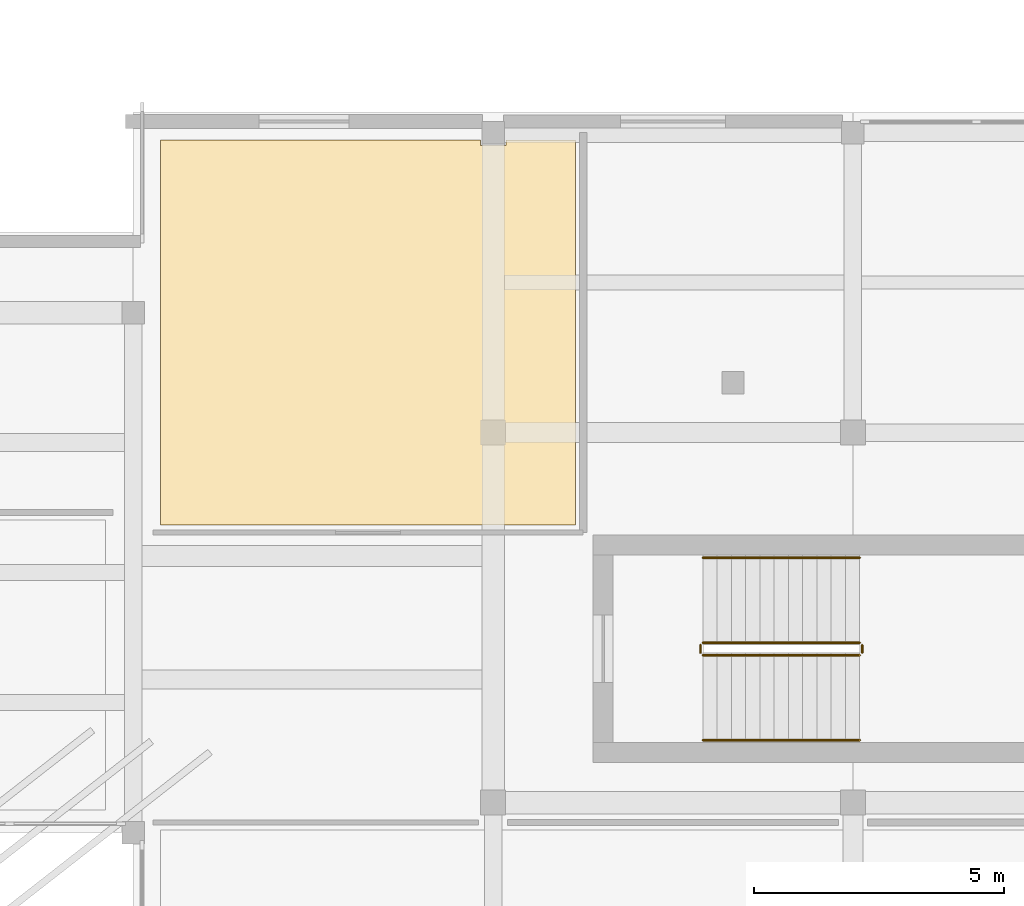
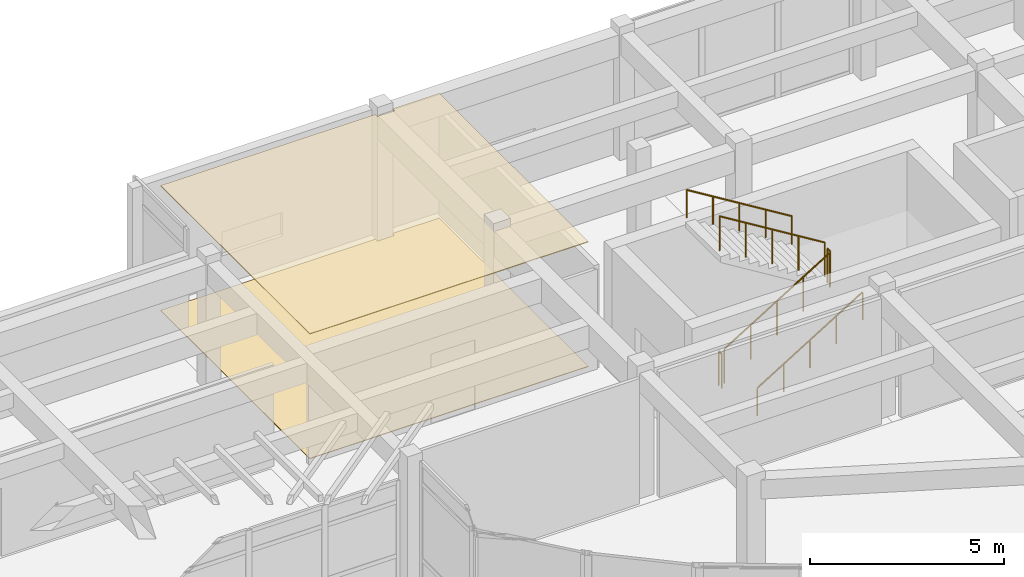
# One storey, part 54 of 60: 6 railings, 2 coverings.
"""IFC4 building model written with IfcOpenShell, lengths in metres."""

import ifcopenshell
import ifcopenshell.guid

model = None  # the IFC model being written
_history = None  # IfcOwnerHistory: only IFC2X3 demands one
_inside = {}  # id of a spatial element -> (the spatial element, [elements in it])
_under = {}  # id of a project, library or spatial element -> (it, [spatial elements below it])
_declared = {}  # id of a project -> (the project, [libraries it declares])
_typed = {}  # id of a type object -> (the type object, [elements of that type])
_made_of = {}  # id of a material, layer set ... -> (it, [elements and type objects made of it])


def new_model(schema):
    """Start an empty IFC model of exactly this schema.

    Asked for "IFC4X3", IfcOpenShell would pick the latest addendum, in which some entities
    have other attributes; the version numbers below select the first issue.
    IFC2X3 requires an IfcOwnerHistory on every rooted entity: one is made here for all.
    """
    global model, _history
    if schema == "IFC4X3":
        model = ifcopenshell.file(schema_version=(4, 3, 0, 0))
    else:
        model = ifcopenshell.file(schema=schema)
    _inside.clear()
    _under.clear()
    _declared.clear()
    _typed.clear()
    _made_of.clear()
    _history = None
    if model.schema == "IFC2X3":
        org = make("IfcOrganization", Name="unknown")
        user = make(
            "IfcPersonAndOrganization",
            ThePerson=make("IfcPerson", FamilyName="unknown"),
            TheOrganization=org,
        )
        app = make(
            "IfcApplication",
            ApplicationDeveloper=org,
            Version="unknown",
            ApplicationFullName="unknown",
            ApplicationIdentifier="unknown",
        )
        _history = make(
            "IfcOwnerHistory",
            OwningUser=user,
            OwningApplication=app,
            ChangeAction="ADDED",
            CreationDate=0,
        )
    return model


def make(cls, **values):
    """One entity of the class cls with the attributes given. An attribute that is None is left unset."""
    return model.create_entity(
        cls, **{name: value for name, value in values.items() if value is not None}
    )


def rooted(cls, **values):
    """An entity with a GlobalId (a new one), such as an element, a storey or a relation."""
    return make(cls, GlobalId=ifcopenshell.guid.new(), OwnerHistory=_history, **values)


def si_unit(unit_type, name, prefix=None):
    """IfcSIUnit, for example si_unit("LENGTHUNIT", "METRE", prefix="MILLI")."""
    return make("IfcSIUnit", UnitType=unit_type, Prefix=prefix, Name=name)


def assignment(units):
    """IfcUnitAssignment: the units of a project."""
    return None if units is None else make("IfcUnitAssignment", Units=units)


def point(xyz):
    """IfcCartesianPoint."""
    return None if xyz is None else make("IfcCartesianPoint", Coordinates=xyz)


def direction(xyz):
    """IfcDirection."""
    return None if xyz is None else make("IfcDirection", DirectionRatios=xyz)


def frame(location, z_axis=None, x_axis=None):
    """IfcAxis2Placement3D, a coordinate frame: its origin and axes. An axis left out is left unset."""
    return make(
        "IfcAxis2Placement3D",
        Location=point(location),
        Axis=direction(z_axis),
        RefDirection=direction(x_axis),
    )


def frame_2d(location, x_axis=None):
    """IfcAxis2Placement2D, a coordinate frame in the plane: its origin and x axis."""
    return make(
        "IfcAxis2Placement2D", Location=point(location), RefDirection=direction(x_axis)
    )


def origin():
    """The frame at (0, 0, 0) with its axes left unset."""
    return frame((0.0, 0.0, 0.0))


def origin_2d():
    """The frame at (0, 0) in the plane with its x axis left unset."""
    return frame_2d((0.0, 0.0))


def place(relative_to, where):
    """IfcLocalPlacement: puts the frame where relative to a parent placement (None: the world)."""
    return make(
        "IfcLocalPlacement", PlacementRelTo=relative_to, RelativePlacement=where
    )


def context(
    kind, dimensions, precision=None, world=None, true_north=None, identifier=None
):
    """IfcGeometricRepresentationContext, for example the 3D "Model" context."""
    return make(
        "IfcGeometricRepresentationContext",
        ContextIdentifier=identifier,
        ContextType=kind,
        CoordinateSpaceDimension=dimensions,
        Precision=precision,
        WorldCoordinateSystem=world,
        TrueNorth=true_north,
    )


def subcontext(parent, identifier, kind, view, scale=None):
    """IfcGeometricRepresentationSubContext, for example "Body" below "Model"."""
    return make(
        "IfcGeometricRepresentationSubContext",
        ContextIdentifier=identifier,
        ContextType=kind,
        ParentContext=parent,
        TargetScale=scale,
        TargetView=view,
    )


def project(units=None, contexts=None):
    """IfcProject with its units and contexts."""
    return rooted(
        "IfcProject",
        Name="project",
        RepresentationContexts=contexts,
        UnitsInContext=assignment(units),
    )


def spatial(cls, under=None, at=None, **own):
    """A site, building, storey or space (cls), placed at a placement, below another one or the project."""
    s = rooted(cls, ObjectPlacement=at, **own)
    if under is not None:
        _under.setdefault(under.id(), (under, []))[1].append(s)
    return s


def polyline(points):
    """IfcPolyline through the points."""
    return make("IfcPolyline", Points=[point(p) for p in points])


def profile(cls, at=None, kind="AREA", **sizes):
    """A parametric profile (cls). Its sizes go by their IFC names, for example OverallWidth=200.0."""
    return make(cls, ProfileType=kind, Position=at, **sizes)


def circle(**sizes):
    """IfcCircleProfileDef."""
    return profile("IfcCircleProfileDef", **sizes)


def outline(outer, holes=None, kind="AREA"):
    """IfcArbitraryClosedProfileDef: a profile drawn as a closed curve; with holes, ...WithVoids."""
    if holes is None:
        return make("IfcArbitraryClosedProfileDef", ProfileType=kind, OuterCurve=outer)
    return make(
        "IfcArbitraryProfileDefWithVoids",
        ProfileType=kind,
        OuterCurve=outer,
        InnerCurves=holes,
    )


def extrude(swept, where, along, depth):
    """IfcExtrudedAreaSolid: the profile swept, set in the frame where, extruded along a direction by depth."""
    return make(
        "IfcExtrudedAreaSolid",
        SweptArea=swept,
        Position=where,
        ExtrudedDirection=direction(along),
        Depth=depth,
    )


def shape(context_of_items, identifier, shape_type, items):
    """IfcShapeRepresentation: the items that make up one representation, for example the "Body"."""
    return make(
        "IfcShapeRepresentation",
        ContextOfItems=context_of_items,
        RepresentationIdentifier=identifier,
        RepresentationType=shape_type,
        Items=items,
    )


def material(Name=None, Category=None):
    """IfcMaterial."""
    return make("IfcMaterial", Name=Name, Category=Category)


def layer(
    of_material, thickness, ventilated=None, Name=None, Category=None, Priority=None
):
    """IfcMaterialLayer: one layer of a wall or slab, of a material (None: an air gap)."""
    return make(
        "IfcMaterialLayer",
        Material=of_material,
        LayerThickness=thickness,
        IsVentilated=ventilated,
        Name=Name,
        Category=Category,
        Priority=Priority,
    )


def layer_set(layers, Name=None):
    """IfcMaterialLayerSet."""
    return make("IfcMaterialLayerSet", MaterialLayers=layers, LayerSetName=Name)


def made_of(thing, what):
    """Note that an element or type object is made of a material, layer set ...; save() writes the relation."""
    if what is not None:
        _made_of.setdefault(what.id(), (what, []))[1].append(thing)
    return thing


def type_object(cls, material=None, **own):
    """A type object (cls), such as IfcWallType, which elements share."""
    return made_of(rooted(cls, **own), material)


def element(
    cls,
    number,
    at=None,
    inside=None,
    cuts=None,
    type_object=None,
    material=None,
    context=None,
    identifier="Body",
    shape_type=None,
    held_by="IfcProductDefinitionShape",
    body=None,
    shapes=None,
    **own,
):
    """One element of the class cls, such as IfcWall. Its Tag is "e" and its number.

    at: its placement. inside: the storey or other place that contains it. cuts: it is an
    opening in that element (IfcRelVoidsElement). A single representation is given by context,
    identifier, shape_type and body (its items); several are given by shapes. held_by: the class
    of the entity that holds the representations. save() writes the other relations.
    """
    e = rooted(cls, Tag="e%d" % number, ObjectPlacement=at, **own)
    if body is not None:
        shapes = [shape(context, identifier, shape_type, body)]
    if shapes is not None:
        e.Representation = make(held_by, Representations=shapes)
    if inside is not None:
        _inside.setdefault(inside.id(), (inside, []))[1].append(e)
    if cuts is not None:
        rooted(
            "IfcRelVoidsElement", RelatingBuildingElement=cuts, RelatedOpeningElement=e
        )
    if type_object is not None:
        _typed.setdefault(type_object.id(), (type_object, []))[1].append(e)
    return made_of(e, material)


def aggregate(whole, parts):
    """IfcRelAggregates: a whole, such as a stair, and the parts it consists of."""
    return rooted("IfcRelAggregates", RelatingObject=whole, RelatedObjects=parts)


def save(model, path):
    """Write the relations noted so far, then the file.

    IfcRelAggregates (storeys below a building ...), IfcRelContainedInSpatialStructure (elements
    in a storey), IfcRelDefinesByType, IfcRelAssociatesMaterial and IfcRelDeclares: one each for
    every whole, place, type object, material and project.
    """
    for whole, parts in _under.values():
        aggregate(whole, parts)
    for where, things in _inside.values():
        rooted(
            "IfcRelContainedInSpatialStructure",
            RelatedElements=things,
            RelatingStructure=where,
        )
    for kind, things in _typed.values():
        rooted("IfcRelDefinesByType", RelatedObjects=things, RelatingType=kind)
    for what, things in _made_of.values():
        rooted("IfcRelAssociatesMaterial", RelatedObjects=things, RelatingMaterial=what)
    for by, libraries in _declared.values():
        rooted("IfcRelDeclares", RelatingContext=by, RelatedDefinitions=libraries)
    model.write(path)


model = new_model("IFC4")

# Units and contexts
model_context = context("Model", 3, precision=1e-05, world=origin(), true_north=direction((0.0, 1.0)))
body_context = subcontext(model_context, "Body", "Model", "MODEL_VIEW")
ifc_project = project(units=[si_unit("LENGTHUNIT", "METRE"), si_unit("AREAUNIT", "SQUARE_METRE"), si_unit("VOLUMEUNIT", "CUBIC_METRE"), si_unit("PLANEANGLEUNIT", "RADIAN"), si_unit("MASSUNIT", "GRAM", prefix="KILO")], contexts=[model_context])

# Site, building, storey
site_placement = place(None, origin())
site = spatial("IfcSite", under=ifc_project, at=site_placement, CompositionType="ELEMENT")
building_placement = place(site_placement, origin())
building = spatial("IfcBuilding", under=site, at=building_placement, Name="Brisavento Harbour Community Centre", CompositionType="ELEMENT")
storey_placement = place(building_placement, frame((0.0, 0.0, 4.5)))
storey = spatial("IfcBuildingStorey", under=building, at=storey_placement, Name="L01", CompositionType="ELEMENT", Elevation=4.5)

# Coverings
ifc_material_1 = material(Name="Perforated acoustic gypsum ceiling board", Category="other")
ifc_layer_1 = layer(ifc_material_1, 0.02490234375, Name="Perforated acoustic gypsum ceiling board")
ifc_layer_set_1 = layer_set([ifc_layer_1], Name="Perforated acoustic gypsum ceiling board")
covering_type_1 = type_object("IfcCoveringType", Name="COV-CEIL-AC", PredefinedType="CEILING", material=ifc_layer_set_1)
covering_1_placement = place(storey_placement, frame((0.0, 0.0, 3.925048828125)))
element("IfcCovering", 1, at=covering_1_placement, inside=storey, type_object=covering_type_1, Name="L01 Library Staff Workroom acoustic ceiling", PredefinedType="CEILING", context=body_context, shape_type="SweptSolid", body=[
    extrude(outline(polyline([(108.550048828125, 28.25), (108.550048828125, 20.550048828125), (116.85009765625, 20.550048828125), (116.85009765625, 28.25), (115.455078125, 28.25), (115.455078125, 28.14501953125), (114.945068359375, 28.14501953125), (114.945068359375, 28.25), (108.550048828125, 28.25)])), origin(), (0.0, 0.0, 1.0), 0.02490234375),
])
ifc_material_2 = material(Name="Polished marine terrazzo tile", Category="other")
ifc_layer_2 = layer(ifc_material_2, 0.02001953125, Name="Polished marine terrazzo tile")
ifc_layer_set_2 = layer_set([ifc_layer_2], Name="Polished marine terrazzo tile")
covering_type_2 = type_object("IfcCoveringType", Name="COV-FLR-TRZ", PredefinedType="FLOORING", material=ifc_layer_set_2)
covering_2_placement = place(storey_placement, origin())
element("IfcCovering", 2, at=covering_2_placement, inside=storey, type_object=covering_type_2, Name="L01 Library Staff Workroom terrazzo flooring", PredefinedType="FLOORING", context=body_context, shape_type="SweptSolid", body=[
    extrude(outline(polyline([(108.550048828125, 28.25), (108.550048828125, 20.550048828125), (116.85009765625, 20.550048828125), (116.85009765625, 28.25), (115.455078125, 28.25), (115.455078125, 28.14501953125), (114.945068359375, 28.14501953125), (114.945068359375, 28.25), (108.550048828125, 28.25)])), origin(), (0.0, 0.0, 1.0), 0.02001953125),
])

# Railings
ifc_material_3 = material(Name="Stainless steel 1.4401", Category="steel")
railing_type_1 = type_object("IfcRailingType", Name="RL-ST-GUARD", PredefinedType="GUARDRAIL", material=ifc_material_3)
railing_1_placement = place(storey_placement, frame((119.39990234375, 17.949951171875, 0.175048828125)))
element("IfcRailing", 3, at=railing_1_placement, inside=storey, type_object=railing_type_1, Name="L01 ST-04 stair guard 1", PredefinedType="GUARDRAIL", context=body_context, shape_type="SweptSolid", body=[
    extrude(circle(Radius=0.02392578125, at=origin_2d()), frame((0.0, 0.0, 1.076171875), z_axis=(0.852166034122, 0.0, 0.523271488128), x_axis=(0.0, 1.0, 0.0)), (0.0, 0.0, 1.0), 3.678955078125),
    extrude(circle(Radius=0.02099609375, at=origin_2d()), origin(), (0.0, 0.0, 1.0), 1.052001953125),
    extrude(circle(Radius=0.02099609375, at=origin_2d()), frame((0.78369140625, 0.0, 0.481201171875)), (0.0, 0.0, 1.0), 1.052001953125),
    extrude(circle(Radius=0.02099609375, at=origin_2d()), frame((1.5673828125, 0.0, 0.96240234375)), (0.0, 0.0, 1.0), 1.052001953125),
    extrude(circle(Radius=0.02099609375, at=origin_2d()), frame((2.351318359375, 0.0, 1.44384765625)), (0.0, 0.0, 1.0), 1.052001953125),
    extrude(circle(Radius=0.02099609375, at=origin_2d()), frame((3.135009765625, 0.0, 1.925048828125)), (0.0, 0.0, 1.0), 1.052001953125),
])
railing_2_placement = place(storey_placement, frame((122.5849609375, 18.0, 2.10009765625)))
element("IfcRailing", 4, at=railing_2_placement, inside=storey, type_object=railing_type_1, Name="L01 ST-04 stair guard 2", PredefinedType="GUARDRAIL", context=body_context, shape_type="SweptSolid", body=[
    extrude(circle(Radius=0.02392578125, at=origin_2d()), frame((0.0, 0.0, 1.076171875), z_axis=(0.0, 1.0, 0.0), x_axis=(-1.0, 0.0, 0.0)), (0.0, 0.0, 1.0), 0.14990234375),
    extrude(circle(Radius=0.02099609375, at=origin_2d()), origin(), (0.0, 0.0, 1.0), 1.052001953125),
    extrude(circle(Radius=0.02099609375, at=origin_2d()), frame((0.0, 0.14990234375, 0.0)), (0.0, 0.0, 1.0), 1.052001953125),
])
railing_3_placement = place(storey_placement, frame((122.534912109375, 18.199951171875, 2.27490234375)))
element("IfcRailing", 5, at=railing_3_placement, inside=storey, type_object=railing_type_1, Name="L01 ST-04 stair guard 3", PredefinedType="GUARDRAIL", context=body_context, shape_type="SweptSolid", body=[
    extrude(circle(Radius=0.02392578125, at=origin_2d()), frame((0.0, 0.0, 1.076171875), z_axis=(-0.852166034122, 0.0, 0.523271488128), x_axis=(0.0, -1.0, 0.0)), (0.0, 0.0, 1.0), 3.678955078125),
    extrude(circle(Radius=0.02099609375, at=origin_2d()), origin(), (0.0, 0.0, 1.0), 1.052001953125),
    extrude(circle(Radius=0.02099609375, at=origin_2d()), frame((-0.78369140625, 0.0, 0.481201171875)), (0.0, 0.0, 1.0), 1.052001953125),
    extrude(circle(Radius=0.02099609375, at=origin_2d()), frame((-1.5673828125, 0.0, 0.96240234375)), (0.0, 0.0, 1.0), 1.052001953125),
    extrude(circle(Radius=0.02099609375, at=origin_2d()), frame((-2.351318359375, 0.0, 1.44384765625)), (0.0, 0.0, 1.0), 1.052001953125),
    extrude(circle(Radius=0.02099609375, at=origin_2d()), frame((-3.135009765625, 0.0, 1.925048828125)), (0.0, 0.0, 1.0), 1.052001953125),
])
railing_4_placement = place(storey_placement, frame((119.35009765625, 18.0, 0.0)))
element("IfcRailing", 6, at=railing_4_placement, inside=storey, type_object=railing_type_1, Name="L01 ST-04 stair guard 4", PredefinedType="GUARDRAIL", context=body_context, shape_type="SweptSolid", body=[
    extrude(circle(Radius=0.02392578125, at=origin_2d()), frame((0.0, 0.0, 1.076171875), z_axis=(0.0, 1.0, 0.0), x_axis=(-1.0, 0.0, 0.0)), (0.0, 0.0, 1.0), 0.14990234375),
    extrude(circle(Radius=0.02099609375, at=origin_2d()), origin(), (0.0, 0.0, 1.0), 1.052001953125),
    extrude(circle(Radius=0.02099609375, at=origin_2d()), frame((0.0, 0.14990234375, 0.0)), (0.0, 0.0, 1.0), 1.052001953125),
])
railing_type_2 = type_object("IfcRailingType", Name="RL-ST-HAND", PredefinedType="HANDRAIL", material=ifc_material_3)
railing_5_placement = place(storey_placement, frame((119.39990234375, 16.25, 0.175048828125)))
element("IfcRailing", 7, at=railing_5_placement, inside=storey, type_object=railing_type_2, Name="L01 ST-04 stair handrail 1", PredefinedType="HANDRAIL", context=body_context, shape_type="SweptSolid", body=[
    extrude(circle(Radius=0.02392578125, at=origin_2d()), frame((0.0, 0.0, 0.8759765625), z_axis=(0.852166034122, 0.0, 0.523271488128), x_axis=(0.0, 1.0, 0.0)), (0.0, 0.0, 1.0), 3.678955078125),
    extrude(circle(Radius=0.02099609375, at=origin_2d()), origin(), (0.0, 0.0, 1.0), 0.851806640625),
    extrude(circle(Radius=0.02099609375, at=origin_2d()), frame((0.78369140625, 0.0, 0.481201171875)), (0.0, 0.0, 1.0), 0.851806640625),
    extrude(circle(Radius=0.02099609375, at=origin_2d()), frame((1.5673828125, 0.0, 0.96240234375)), (0.0, 0.0, 1.0), 0.851806640625),
    extrude(circle(Radius=0.02099609375, at=origin_2d()), frame((2.351318359375, 0.0, 1.44384765625)), (0.0, 0.0, 1.0), 0.851806640625),
    extrude(circle(Radius=0.02099609375, at=origin_2d()), frame((3.135009765625, 0.0, 1.925048828125)), (0.0, 0.0, 1.0), 0.851806640625),
])
railing_6_placement = place(storey_placement, frame((122.534912109375, 19.89990234375, 2.27490234375)))
element("IfcRailing", 8, at=railing_6_placement, inside=storey, type_object=railing_type_2, Name="L01 ST-04 stair handrail 2", PredefinedType="HANDRAIL", context=body_context, shape_type="SweptSolid", body=[
    extrude(circle(Radius=0.02392578125, at=origin_2d()), frame((0.0, 0.0, 0.8759765625), z_axis=(-0.852166034122, 0.0, 0.523271488128), x_axis=(0.0, -1.0, 0.0)), (0.0, 0.0, 1.0), 3.678955078125),
    extrude(circle(Radius=0.02099609375, at=origin_2d()), origin(), (0.0, 0.0, 1.0), 0.851806640625),
    extrude(circle(Radius=0.02099609375, at=origin_2d()), frame((-0.78369140625, 0.0, 0.481201171875)), (0.0, 0.0, 1.0), 0.851806640625),
    extrude(circle(Radius=0.02099609375, at=origin_2d()), frame((-1.5673828125, 0.0, 0.96240234375)), (0.0, 0.0, 1.0), 0.851806640625),
    extrude(circle(Radius=0.02099609375, at=origin_2d()), frame((-2.351318359375, 0.0, 1.44384765625)), (0.0, 0.0, 1.0), 0.851806640625),
    extrude(circle(Radius=0.02099609375, at=origin_2d()), frame((-3.135009765625, 0.0, 1.925048828125)), (0.0, 0.0, 1.0), 0.851806640625),
])

save(model, "model.ifc")
